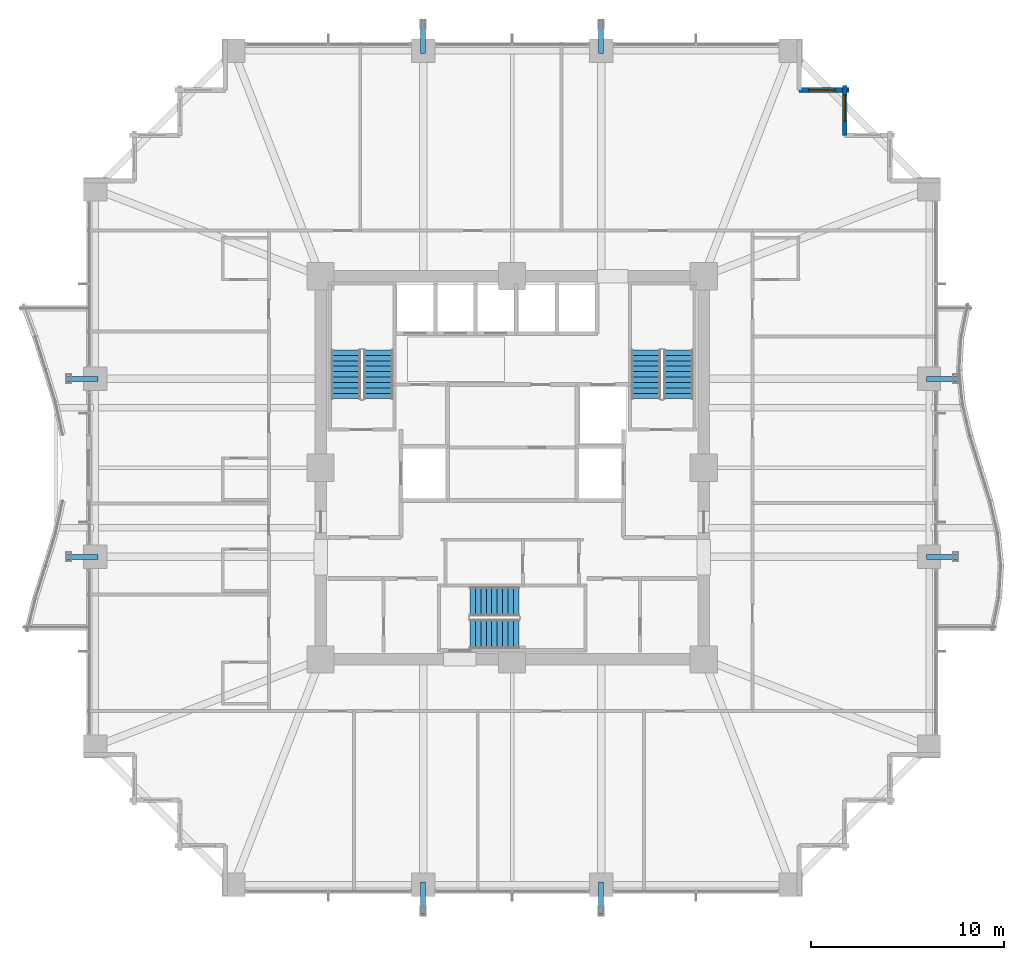
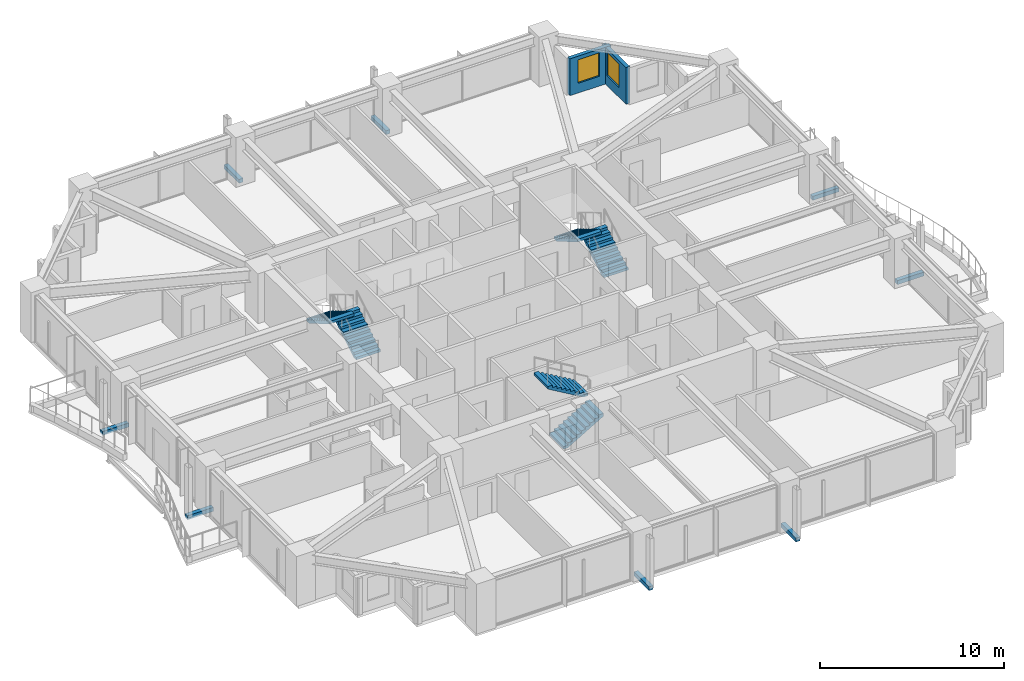
# One storey, part 34 of 36: 8 discrete accessories, 6 stair flights, 2 walls, 2 windows, 2 openings, 3 elements without a shape of their own.
"""IFC4 building model written with IfcOpenShell, lengths in metres."""

from ifc_helpers import new_model, si_unit, direction, frame, frame_2d, origin, origin_2d, place, context, subcontext, project, spatial, polyline, rectangle, outline, extrude, material, layer, layer_set, type_object, element, fill, aggregate, save


model = new_model("IFC4")

# Units and contexts
model_context = context("Model", 3, precision=1e-05, world=origin(), true_north=direction((0.0, 1.0)))
body_context = subcontext(model_context, "Body", "Model", "MODEL_VIEW")
ifc_project = project(units=[si_unit("LENGTHUNIT", "METRE"), si_unit("AREAUNIT", "SQUARE_METRE"), si_unit("VOLUMEUNIT", "CUBIC_METRE"), si_unit("PLANEANGLEUNIT", "RADIAN"), si_unit("MASSUNIT", "GRAM", prefix="KILO")], contexts=[model_context])

# Site, building, storey
site_placement = place(None, origin())
site = spatial("IfcSite", under=ifc_project, at=site_placement, CompositionType="ELEMENT")
building_placement = place(site_placement, origin())
building = spatial("IfcBuilding", under=site, at=building_placement, Name="Kolvaren Belvedere", CompositionType="ELEMENT")
storey_placement = place(building_placement, frame((0.0, 0.0, 46.89990234375)))
storey = spatial("IfcBuildingStorey", under=building, at=storey_placement, Name="L13", CompositionType="ELEMENT", Elevation=46.89990234375)

# Wall, opening, window
ifc_material_1 = material(Name="Insulated pale-metal facade wall assembly", Category="aluminium")
ifc_layer = layer(ifc_material_1, 0.239990234375)
ifc_layer_set = layer_set([ifc_layer], Name="Insulated pale-metal facade wall assembly")
wall_type = type_object("IfcWallType", Name="WL-EXT-240", PredefinedType="STANDARD", material=ifc_layer_set)
wall_1_placement = place(storey_placement, frame((17.179931640625, 19.77001953125, 0.0), z_axis=(0.0, 0.0, 1.0), x_axis=(0.0, -1.0, 0.0)))
wall_1 = element("IfcWall", 1, at=wall_1_placement, inside=storey, type_object=wall_type, Name="L13 Serrated Corner Facade Wall 12", PredefinedType="STANDARD", context=body_context, shape_type="SweptSolid", body=[
    extrude(rectangle(XDim=2.590087890625, YDim=0.239990234375, at=frame_2d((1.294921875, 0.0))), origin(), (0.0, 0.0, 1.0), 2.439208984375),
])
opening_1_placement = place(wall_1_placement, frame((0.5, 0.0, 0.64990234375)))
opening_1 = element("IfcOpeningElement", 2, at=opening_1_placement, cuts=wall_1, Name="Opening W-1350", PredefinedType="OPENING", context=body_context, shape_type="SweptSolid", body=[
    extrude(rectangle(XDim=1.35009765625, YDim=1.550048828125, at=frame_2d((0.675048828125, 0.77490234375))), frame((0.0, 0.1298828125, 0.0), z_axis=(0.0, -1.0, 0.0), x_axis=(1.0, 0.0, 0.0)), (0.0, 0.0, 1.0), 0.260009765625),
])
ifc_material_2 = material(Name="Low-iron triple insulated glass", Category="glass")
window_type = type_object("IfcWindowType", Name="WN-CORN-1350", PartitioningType="SINGLE_PANEL", PredefinedType="WINDOW", material=ifc_material_2)
window_1_placement = place(opening_1_placement, origin())
window_1 = element("IfcWindow", 3, at=window_1_placement, inside=storey, type_object=window_type, Name="L13 Serrated Corner Vision Window 12", OverallHeight=1.550048828125, OverallWidth=1.35009765625, PartitioningType="SINGLE_PANEL", PredefinedType="WINDOW", context=body_context, shape_type="SweptSolid", body=[
    extrude(rectangle(XDim=1.35009765625, YDim=1.550048828125, at=frame_2d((0.675048828125, 0.77490234375))), frame((0.0, 0.030029296875, 0.0), z_axis=(0.0, -1.0, 0.0), x_axis=(1.0, 0.0, 0.0)), (0.0, 0.0, 1.0), 0.06005859375),
])
fill(opening_1, window_1)

wall_2_placement = place(storey_placement, frame((14.830078125, 19.530029296875, 0.0), z_axis=(0.0, 0.0, 1.0), x_axis=(1.0, 0.0, 0.0)))
wall_2 = element("IfcWall", 4, at=wall_2_placement, inside=storey, type_object=wall_type, Name="L13 Serrated Corner Facade Wall 13", PredefinedType="STANDARD", context=body_context, shape_type="SweptSolid", body=[
    extrude(rectangle(XDim=2.58984375, YDim=0.239990234375, at=frame_2d((1.294921875, 0.0))), origin(), (0.0, 0.0, 1.0), 2.439208984375),
])
opening_2_placement = place(wall_2_placement, frame((0.5, 0.0, 0.64990234375)))
opening_2 = element("IfcOpeningElement", 5, at=opening_2_placement, cuts=wall_2, Name="Opening W-1350", PredefinedType="OPENING", context=body_context, shape_type="SweptSolid", body=[
    extrude(rectangle(XDim=1.35009765625, YDim=1.550048828125, at=frame_2d((0.675048828125, 0.77490234375))), frame((0.0, 0.1298828125, 0.0), z_axis=(0.0, -1.0, 0.0), x_axis=(1.0, 0.0, 0.0)), (0.0, 0.0, 1.0), 0.260009765625),
])
window_2_placement = place(opening_2_placement, origin())
window_2 = element("IfcWindow", 6, at=window_2_placement, inside=storey, type_object=window_type, Name="L13 Serrated Corner Vision Window 13", OverallHeight=1.550048828125, OverallWidth=1.35009765625, PartitioningType="SINGLE_PANEL", PredefinedType="WINDOW", context=body_context, shape_type="SweptSolid", body=[
    extrude(rectangle(XDim=1.35009765625, YDim=1.550048828125, at=frame_2d((0.675048828125, 0.77490234375))), frame((0.0, 0.030029296875, 0.0), z_axis=(0.0, -1.0, 0.0), x_axis=(1.0, 0.0, 0.0)), (0.0, 0.0, 1.0), 0.06005859375),
])
fill(opening_2, window_2)

# Stair, stair flights
ifc_material_3 = material(Name="Concrete C50/60", Category="concrete")
stair_type = type_object("IfcStairType", Name="ST-CORE-1520", PredefinedType="HALF_TURN_STAIR", material=ifc_material_3)
stair_1_placement = place(storey_placement, origin())
stair_1 = element("IfcStair", 7, at=stair_1_placement, inside=storey, type_object=stair_type, Name="L13 Protected Exit Stair ST-1", PredefinedType="HALF_TURN_STAIR")
ifc_material_4 = material(Name="Concrete C50/60", Category="concrete")
stair_flight_type = type_object("IfcStairFlightType", Name="SF-STR-1520", PredefinedType="STRAIGHT", material=ifc_material_4)
stair_flight_1_placement = place(storey_placement, frame((-6.919921875, 3.570068359375, 0.0), z_axis=(0.0, 0.0, 1.0), x_axis=(0.0, 1.0, 0.0)))
stair_flight_1 = element("IfcStairFlight", 8, at=stair_flight_1_placement, type_object=stair_flight_type, Name="ST-1 flight 1", NumberOfRisers=10, NumberOfTreads=9, PredefinedType="STRAIGHT", RiserHeight=0.165, TreadLength=0.28, context=body_context, shape_type="SweptSolid", body=[
    extrude(outline(polyline([(0.0, 0.0), (0.0, 0.1650390625), (0.280029296875, 0.1650390625), (0.280029296875, 0.330078125), (0.56005859375, 0.330078125), (0.56005859375, 0.4951171875), (0.840087890625, 0.4951171875), (0.840087890625, 0.659912109375), (1.1201171875, 0.659912109375), (1.1201171875, 0.824951171875), (1.39990234375, 0.824951171875), (1.39990234375, 0.989990234375), (1.679931640625, 0.989990234375), (1.679931640625, 1.155029296875), (1.9599609375, 1.155029296875), (1.9599609375, 1.320068359375), (2.239990234375, 1.320068359375), (2.239990234375, 1.485107421875), (2.52001953125, 1.485107421875), (2.52001953125, 1.64990234375), (2.52001953125, 1.31103515625), (0.295166015625, 0.0), (0.0, 0.0)])), frame((0.0, 0.760009765625, 0.0), z_axis=(0.0, -1.0, 0.0), x_axis=(1.0, 0.0, 0.0)), (0.0, 0.0, 1.0), 1.52001953125),
])
stair_flight_2_placement = place(storey_placement, frame((-8.590087890625, 6.090087890625, 1.650146484375), z_axis=(0.0, 0.0, 1.0), x_axis=(0.0, -1.0, 0.0)))
stair_flight_2 = element("IfcStairFlight", 9, at=stair_flight_2_placement, type_object=stair_flight_type, Name="ST-1 flight 2", NumberOfRisers=10, NumberOfTreads=9, PredefinedType="STRAIGHT", RiserHeight=0.165, TreadLength=0.28, context=body_context, shape_type="SweptSolid", body=[
    extrude(outline(polyline([(0.0, 0.0), (0.0, 0.1650390625), (0.280029296875, 0.1650390625), (0.280029296875, 0.330078125), (0.56005859375, 0.330078125), (0.56005859375, 0.4951171875), (0.840087890625, 0.4951171875), (0.840087890625, 0.659912109375), (1.1201171875, 0.659912109375), (1.1201171875, 0.824951171875), (1.39990234375, 0.824951171875), (1.39990234375, 0.989990234375), (1.679931640625, 0.989990234375), (1.679931640625, 1.155029296875), (1.9599609375, 1.155029296875), (1.9599609375, 1.320068359375), (2.239990234375, 1.320068359375), (2.239990234375, 1.485107421875), (2.52001953125, 1.485107421875), (2.52001953125, 1.64990234375), (2.52001953125, 1.31103515625), (0.295166015625, 0.0), (0.0, 0.0)])), frame((0.0, 0.760009765625, 0.0), z_axis=(0.0, -1.0, 0.0), x_axis=(1.0, 0.0, 0.0)), (0.0, 0.0, 1.0), 1.52001953125),
])
aggregate(stair_1, [stair_flight_1, stair_flight_2])

stair_2_placement = place(storey_placement, origin())
stair_2 = element("IfcStair", 10, at=stair_2_placement, inside=storey, type_object=stair_type, Name="L13 Protected Exit Stair ST-2", PredefinedType="HALF_TURN_STAIR")
stair_flight_3_placement = place(storey_placement, frame((8.590087890625, 3.570068359375, 0.0), z_axis=(0.0, 0.0, 1.0), x_axis=(0.0, 1.0, 0.0)))
stair_flight_3 = element("IfcStairFlight", 11, at=stair_flight_3_placement, type_object=stair_flight_type, Name="ST-2 flight 1", NumberOfRisers=10, NumberOfTreads=9, PredefinedType="STRAIGHT", RiserHeight=0.165, TreadLength=0.28, context=body_context, shape_type="SweptSolid", body=[
    extrude(outline(polyline([(0.0, 0.0), (0.0, 0.1650390625), (0.280029296875, 0.1650390625), (0.280029296875, 0.330078125), (0.56005859375, 0.330078125), (0.56005859375, 0.4951171875), (0.840087890625, 0.4951171875), (0.840087890625, 0.659912109375), (1.1201171875, 0.659912109375), (1.1201171875, 0.824951171875), (1.39990234375, 0.824951171875), (1.39990234375, 0.989990234375), (1.679931640625, 0.989990234375), (1.679931640625, 1.155029296875), (1.9599609375, 1.155029296875), (1.9599609375, 1.320068359375), (2.239990234375, 1.320068359375), (2.239990234375, 1.485107421875), (2.52001953125, 1.485107421875), (2.52001953125, 1.64990234375), (2.52001953125, 1.31103515625), (0.295166015625, 0.0), (0.0, 0.0)])), frame((0.0, 0.760009765625, 0.0), z_axis=(0.0, -1.0, 0.0), x_axis=(1.0, 0.0, 0.0)), (0.0, 0.0, 1.0), 1.52001953125),
])
stair_flight_4_placement = place(storey_placement, frame((6.919921875, 6.090087890625, 1.650146484375), z_axis=(0.0, 0.0, 1.0), x_axis=(0.0, -1.0, 0.0)))
stair_flight_4 = element("IfcStairFlight", 12, at=stair_flight_4_placement, type_object=stair_flight_type, Name="ST-2 flight 2", NumberOfRisers=10, NumberOfTreads=9, PredefinedType="STRAIGHT", RiserHeight=0.165, TreadLength=0.28, context=body_context, shape_type="SweptSolid", body=[
    extrude(outline(polyline([(0.0, 0.0), (0.0, 0.1650390625), (0.280029296875, 0.1650390625), (0.280029296875, 0.330078125), (0.56005859375, 0.330078125), (0.56005859375, 0.4951171875), (0.840087890625, 0.4951171875), (0.840087890625, 0.659912109375), (1.1201171875, 0.659912109375), (1.1201171875, 0.824951171875), (1.39990234375, 0.824951171875), (1.39990234375, 0.989990234375), (1.679931640625, 0.989990234375), (1.679931640625, 1.155029296875), (1.9599609375, 1.155029296875), (1.9599609375, 1.320068359375), (2.239990234375, 1.320068359375), (2.239990234375, 1.485107421875), (2.52001953125, 1.485107421875), (2.52001953125, 1.64990234375), (2.52001953125, 1.31103515625), (0.295166015625, 0.0), (0.0, 0.0)])), frame((0.0, 0.760009765625, 0.0), z_axis=(0.0, -1.0, 0.0), x_axis=(1.0, 0.0, 0.0)), (0.0, 0.0, 1.0), 1.52001953125),
])
aggregate(stair_2, [stair_flight_3, stair_flight_4])

stair_3_placement = place(storey_placement, origin())
stair_3 = element("IfcStair", 13, at=stair_3_placement, inside=storey, type_object=stair_type, Name="L13 Protected Exit Stair ST-3", PredefinedType="HALF_TURN_STAIR")
stair_flight_5_placement = place(storey_placement, frame((-2.179931640625, -8.590087890625, 0.0), z_axis=(0.0, 0.0, 1.0), x_axis=(1.0, 0.0, 0.0)))
stair_flight_5 = element("IfcStairFlight", 14, at=stair_flight_5_placement, type_object=stair_flight_type, Name="ST-3 flight 1", NumberOfRisers=10, NumberOfTreads=9, PredefinedType="STRAIGHT", RiserHeight=0.165, TreadLength=0.28, context=body_context, shape_type="SweptSolid", body=[
    extrude(outline(polyline([(0.0, 0.0), (0.0, 0.1650390625), (0.280029296875, 0.1650390625), (0.280029296875, 0.330078125), (0.56005859375, 0.330078125), (0.56005859375, 0.4951171875), (0.840087890625, 0.4951171875), (0.840087890625, 0.659912109375), (1.1201171875, 0.659912109375), (1.1201171875, 0.824951171875), (1.39990234375, 0.824951171875), (1.39990234375, 0.989990234375), (1.679931640625, 0.989990234375), (1.679931640625, 1.155029296875), (1.9599609375, 1.155029296875), (1.9599609375, 1.320068359375), (2.239990234375, 1.320068359375), (2.239990234375, 1.485107421875), (2.52001953125, 1.485107421875), (2.52001953125, 1.64990234375), (2.52001953125, 1.31103515625), (0.295166015625, 0.0), (0.0, 0.0)])), frame((0.0, 0.760009765625, 0.0), z_axis=(0.0, -1.0, 0.0), x_axis=(1.0, 0.0, 0.0)), (0.0, 0.0, 1.0), 1.52001953125),
])
stair_flight_6_placement = place(storey_placement, frame((0.340087890625, -6.919921875, 1.650146484375), z_axis=(0.0, 0.0, 1.0), x_axis=(-1.0, 0.0, 0.0)))
stair_flight_6 = element("IfcStairFlight", 15, at=stair_flight_6_placement, type_object=stair_flight_type, Name="ST-3 flight 2", NumberOfRisers=10, NumberOfTreads=9, PredefinedType="STRAIGHT", RiserHeight=0.165, TreadLength=0.28, context=body_context, shape_type="SweptSolid", body=[
    extrude(outline(polyline([(0.0, 0.0), (0.0, 0.1650390625), (0.280029296875, 0.1650390625), (0.280029296875, 0.330078125), (0.56005859375, 0.330078125), (0.56005859375, 0.4951171875), (0.840087890625, 0.4951171875), (0.840087890625, 0.659912109375), (1.1201171875, 0.659912109375), (1.1201171875, 0.824951171875), (1.39990234375, 0.824951171875), (1.39990234375, 0.989990234375), (1.679931640625, 0.989990234375), (1.679931640625, 1.155029296875), (1.9599609375, 1.155029296875), (1.9599609375, 1.320068359375), (2.239990234375, 1.320068359375), (2.239990234375, 1.485107421875), (2.52001953125, 1.485107421875), (2.52001953125, 1.64990234375), (2.52001953125, 1.31103515625), (0.295166015625, 0.0), (0.0, 0.0)])), frame((0.0, 0.760009765625, 0.0), z_axis=(0.0, -1.0, 0.0), x_axis=(1.0, 0.0, 0.0)), (0.0, 0.0, 1.0), 1.52001953125),
])
aggregate(stair_3, [stair_flight_5, stair_flight_6])

# Discrete accessories
ifc_material_5 = material(Name="Structural steel ASTM A572 Grade 50", Category="steel")
discrete_accessory_type = type_object("IfcDiscreteAccessoryType", Name="BRK-1 Steel Facade Support Bracket", PredefinedType="BRACKET", material=ifc_material_5)
for number, where, z_axis, x_axis, name in (
    (16, (-4.60009765625, 22.235107421875, -0.169921875), (0.0, 0.0, 1.0), (0.0, 1.0, 0.0), "L13 Picture-Frame Outrigger Cleat Bracket N1"),
    (17, (4.60009765625, 22.235107421875, -0.169921875), (0.0, 0.0, 1.0), (0.0, 1.0, 0.0), "L13 Picture-Frame Outrigger Cleat Bracket N2"),
    (18, (4.60009765625, -22.235107421875, -0.169921875), (0.0, 0.0, 1.0), (0.0, 1.0, 0.0), "L13 Picture-Frame Outrigger Cleat Bracket S1"),
    (19, (-4.60009765625, -22.235107421875, -0.169921875), (0.0, 0.0, 1.0), (0.0, 1.0, 0.0), "L13 Picture-Frame Outrigger Cleat Bracket S2"),
    (20, (22.235107421875, 4.60009765625, -0.169921875), (0.0, 0.0, 1.0), (1.0, 0.0, 0.0), "L13 Picture-Frame Outrigger Cleat Bracket E1"),
    (21, (22.235107421875, -4.60009765625, -0.169921875), (0.0, 0.0, 1.0), (1.0, 0.0, 0.0), "L13 Picture-Frame Outrigger Cleat Bracket E2"),
    (22, (-22.235107421875, -4.60009765625, -0.169921875), (0.0, 0.0, 1.0), (1.0, 0.0, 0.0), "L13 Picture-Frame Outrigger Cleat Bracket W1"),
    (23, (-22.235107421875, 4.60009765625, -0.169921875), (0.0, 0.0, 1.0), (1.0, 0.0, 0.0), "L13 Picture-Frame Outrigger Cleat Bracket W2"),
):
    element("IfcDiscreteAccessory", number, at=place(storey_placement, frame(where, z_axis=z_axis, x_axis=x_axis)), inside=storey, type_object=discrete_accessory_type, Name=name, PredefinedType="BRACKET", context=body_context, shape_type="SweptSolid", body=[
        extrude(rectangle(XDim=1.639892578125, YDim=0.260009765625, at=origin_2d()), origin(), (0.0, 0.0, 1.0), 0.260009765625),
    ])

save(model, "model.ifc")
